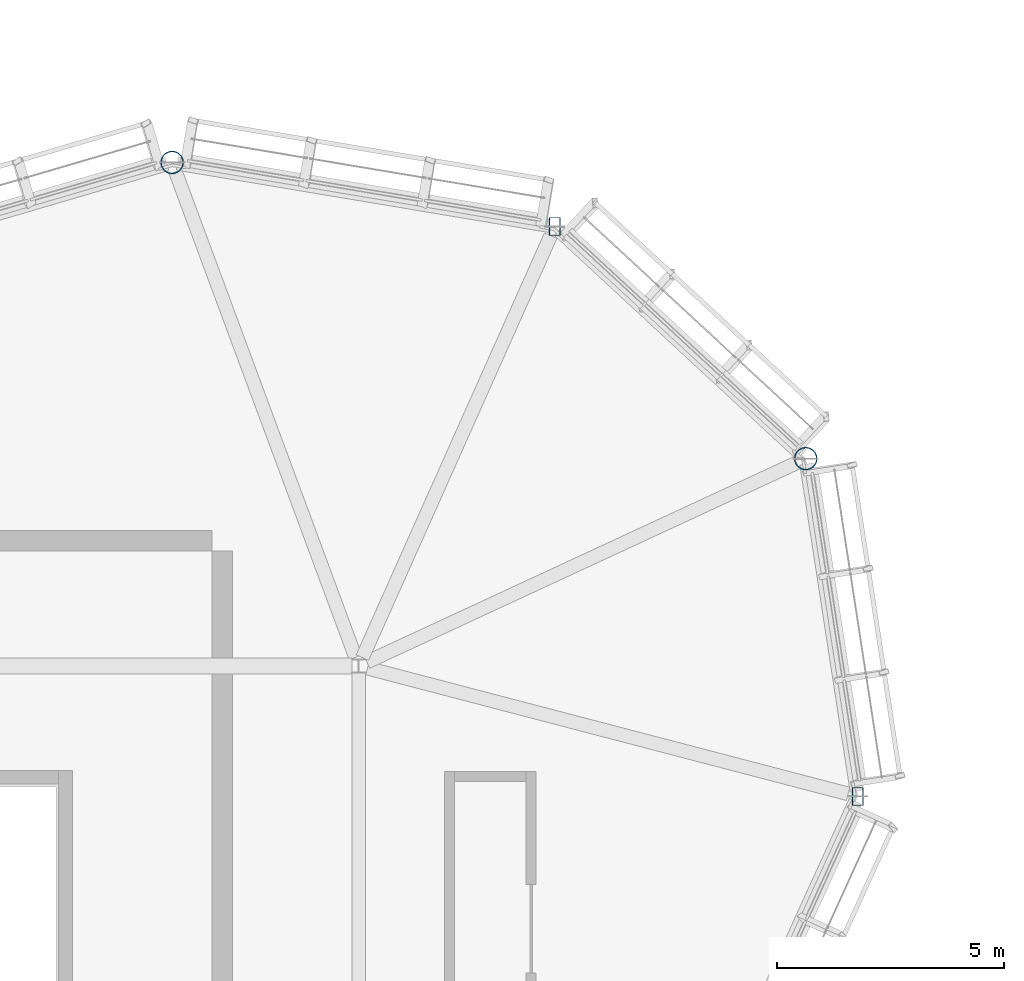
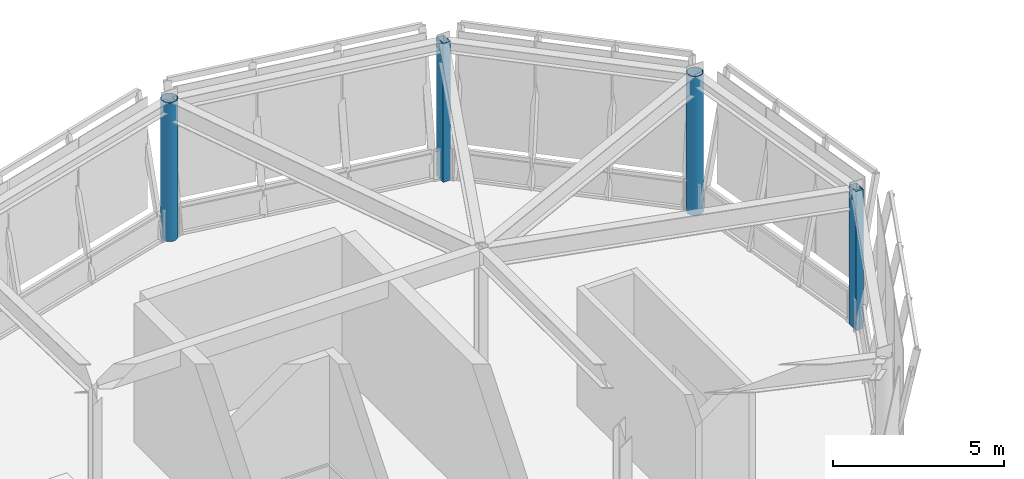
# One storey, part 13 of 113: 4 columns.
"""IFC4 building model written with IfcOpenShell, lengths in metres."""

from ifc_helpers import new_model, si_unit, direction, frame, origin, origin_2d, place, context, subcontext, project, spatial, hollow_rectangle, hollow_circle, extrude, material, material_profile, profile_set, type_object, element, save


model = new_model("IFC4")

# Units and contexts
model_context = context("Model", 3, precision=1e-05, world=origin(), true_north=direction((0.0, 1.0)))
body_context = subcontext(model_context, "Body", "Model", "MODEL_VIEW")
ifc_project = project(units=[si_unit("LENGTHUNIT", "METRE"), si_unit("AREAUNIT", "SQUARE_METRE"), si_unit("VOLUMEUNIT", "CUBIC_METRE"), si_unit("PLANEANGLEUNIT", "RADIAN"), si_unit("MASSUNIT", "GRAM", prefix="KILO")], contexts=[model_context])

# Site, building, storey
site_placement = place(None, origin())
site = spatial("IfcSite", under=ifc_project, at=site_placement, CompositionType="ELEMENT")
building_placement = place(site_placement, origin())
building = spatial("IfcBuilding", under=site, at=building_placement, Name="Linyun Crest Stadium", CompositionType="ELEMENT")
storey_placement = place(building_placement, frame((0.0, 0.0, 26.39990234375)))
storey = spatial("IfcBuildingStorey", under=building, at=storey_placement, Name="L06", CompositionType="ELEMENT", Elevation=26.39990234375)

# Columns
ifc_material_1 = material(Name="Steel Q355C", Category="steel")
ifc_material_profile_1 = material_profile(ifc_material_1, hollow_circle(Radius=0.25390625, WallThickness=0.02490234375, at=origin_2d()), Name="CHS 508x25")
ifc_profile_set_1 = profile_set([ifc_material_profile_1], Name="Steel Q355C")
column_type_1 = type_object("IfcColumnType", Name="SC05", PredefinedType="COLUMN", material=ifc_profile_set_1)
for number, where, z_axis, x_axis, name in (
    (1, (89.8349609375, 93.31005859375, 0.0), (0.0, 0.0, 1.0), (1.0, 0.0, 0.0), "Pod perimeter column SC05 L06 997"),
    (2, (75.89404296875, 99.825927734375, 0.0), (0.0, 0.0, 1.0), (1.0, 0.0, 0.0), "Pod perimeter column SC05 L06 1005"),
):
    element("IfcColumn", number, at=place(storey_placement, frame(where, z_axis=z_axis, x_axis=x_axis)), inside=storey, type_object=column_type_1, Name=name, PredefinedType="COLUMN", context=body_context, shape_type="SweptSolid", body=[
        extrude(hollow_circle(Radius=0.25390625, WallThickness=0.02490234375, at=origin_2d()), origin(), (0.0, 0.0, 1.0), 4.945068359375),
    ])
ifc_material_2 = material(Name="Steel Q355C", Category="steel")
ifc_material_profile_2 = material_profile(ifc_material_2, hollow_rectangle(XDim=0.25, YDim=0.39990234375, WallThickness=0.01611328125, at=origin_2d()), Name="RHS 400x250x16")
ifc_profile_set_2 = profile_set([ifc_material_profile_2], Name="Steel Q355C")
column_type_2 = type_object("IfcColumnType", Name="SC06", PredefinedType="COLUMN", material=ifc_profile_set_2)
for number, where, z_axis, x_axis, name in (
    (3, (84.31298828125, 98.416015625, 0.0), (0.0, 0.0, 1.0), (1.0, 0.0, 0.0), "Pod perimeter column SC06 L06 1001"),
    (4, (90.97900390625, 85.8779296875, 0.0), (0.0, 0.0, 1.0), (1.0, 0.0, 0.0), "Pod perimeter column SC06 L06 1041"),
):
    element("IfcColumn", number, at=place(storey_placement, frame(where, z_axis=z_axis, x_axis=x_axis)), inside=storey, type_object=column_type_2, Name=name, PredefinedType="COLUMN", context=body_context, shape_type="SweptSolid", body=[
        extrude(hollow_rectangle(XDim=0.25, YDim=0.39990234375, WallThickness=0.01611328125, at=origin_2d()), origin(), (0.0, 0.0, 1.0), 4.945068359375),
    ])

save(model, "model.ifc")
